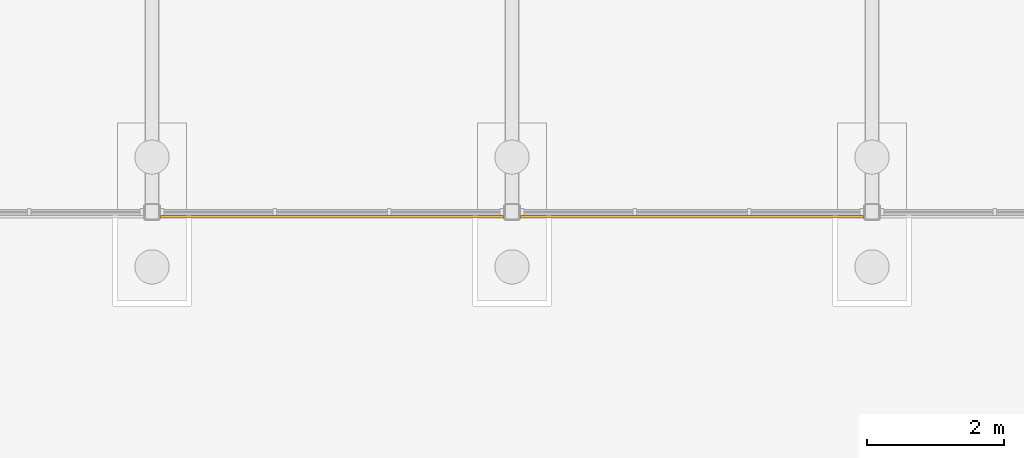
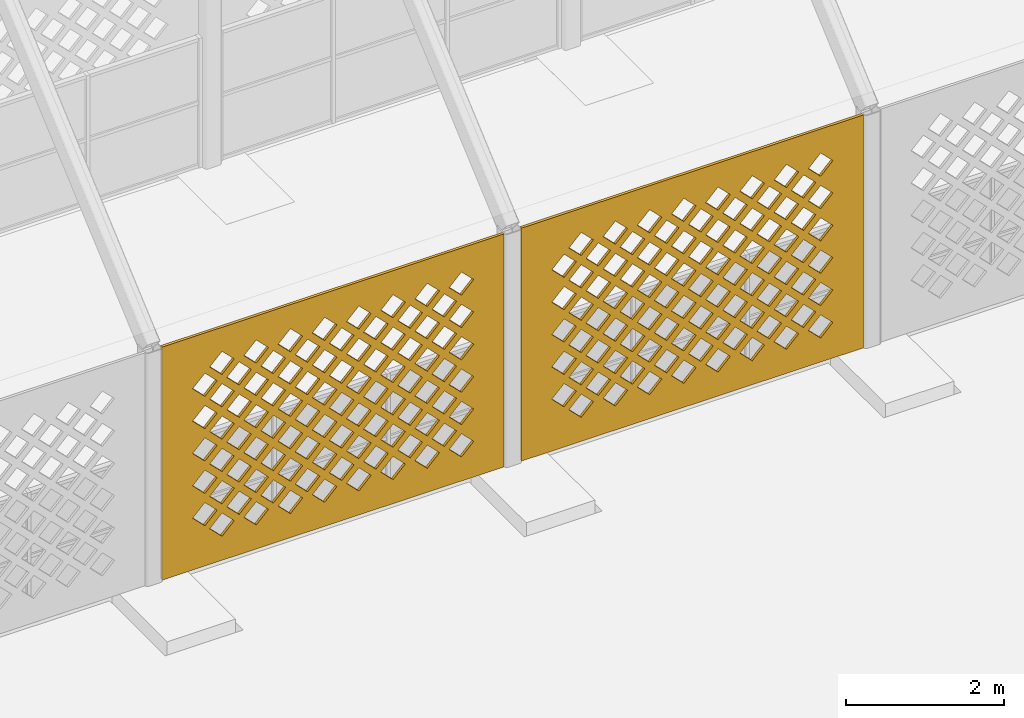
# One storey, part 61 of 79: 2 coverings.
"""IFC4 building model written with IfcOpenShell, lengths in metres."""

from ifc_helpers import new_model, si_unit, direction, frame, origin, place, context, subcontext, project, spatial, polyline, outline, extrude, material, layer, layer_set, type_object, element, save


model = new_model("IFC4")

# Units and contexts
model_context = context("Model", 3, precision=1e-05, world=origin(), true_north=direction((0.0, 1.0)))
body_context = subcontext(model_context, "Body", "Model", "MODEL_VIEW")
ifc_project = project(units=[si_unit("LENGTHUNIT", "METRE"), si_unit("AREAUNIT", "SQUARE_METRE"), si_unit("VOLUMEUNIT", "CUBIC_METRE"), si_unit("PLANEANGLEUNIT", "RADIAN"), si_unit("MASSUNIT", "GRAM", prefix="KILO")], contexts=[model_context])

# Site, building, storey
site_placement = place(None, origin())
site = spatial("IfcSite", under=ifc_project, at=site_placement, CompositionType="ELEMENT")
building_placement = place(site_placement, origin())
building = spatial("IfcBuilding", under=site, at=building_placement, Name="Noorbagh Ring Tower", CompositionType="ELEMENT")
storey_placement = place(building_placement, origin())
storey = spatial("IfcBuildingStorey", under=building, at=storey_placement, Name="L00", CompositionType="ELEMENT", Elevation=0.0)

# Coverings
ifc_material = material(Name="Red sandstone jali", Category="masonry")
ifc_layer = layer(ifc_material, 0.0400390625)
ifc_layer_set = layer_set([ifc_layer], Name="Red sandstone jali")
covering_type = type_object("IfcCoveringType", Name="AR-JALI", PredefinedType="USERDEFINED", material=ifc_layer_set)
covering_1_placement = place(storey_placement, frame((-78.625, 1.110107421875, 0.0), z_axis=(0.0, -1.0, 0.0), x_axis=(1.0, 0.0, 0.0)))
element("IfcCovering", 1, at=covering_1_placement, inside=storey, type_object=covering_type, Name="Jali screen", ObjectType="SCREEN", PredefinedType="USERDEFINED", context=body_context, shape_type="SweptSolid", body=[
    extrude(outline(polyline([(0.0, 0.0), (5.0, 0.0), (5.0, 3.60009765625), (0.0, 3.60009765625), (0.0, 0.0)]), holes=[polyline([(0.695068359375, 0.550048828125), (0.875, 0.3701171875), (1.054931640625, 0.550048828125), (0.875, 0.72998046875), (0.695068359375, 0.550048828125)]), polyline([(1.195068359375, 0.550048828125), (1.375, 0.3701171875), (1.554931640625, 0.550048828125), (1.375, 0.72998046875), (1.195068359375, 0.550048828125)]), polyline([(1.695068359375, 0.550048828125), (1.875, 0.3701171875), (2.054931640625, 0.550048828125), (1.875, 0.72998046875), (1.695068359375, 0.550048828125)]), polyline([(2.195068359375, 0.550048828125), (2.375, 0.3701171875), (2.554931640625, 0.550048828125), (2.375, 0.72998046875), (2.195068359375, 0.550048828125)]), polyline([(2.695068359375, 0.550048828125), (2.875, 0.3701171875), (3.054931640625, 0.550048828125), (2.875, 0.72998046875), (2.695068359375, 0.550048828125)]), polyline([(3.195068359375, 0.550048828125), (3.375, 0.3701171875), (3.554931640625, 0.550048828125), (3.375, 0.72998046875), (3.195068359375, 0.550048828125)]), polyline([(3.695068359375, 0.550048828125), (3.875, 0.3701171875), (4.054931640625, 0.550048828125), (3.875, 0.72998046875), (3.695068359375, 0.550048828125)]), polyline([(4.195068359375, 0.550048828125), (4.375, 0.3701171875), (4.554931640625, 0.550048828125), (4.375, 0.72998046875), (4.195068359375, 0.550048828125)]), polyline([(0.445068359375, 0.800048828125), (0.625, 0.6201171875), (0.804931640625, 0.800048828125), (0.625, 0.97998046875), (0.445068359375, 0.800048828125)]), polyline([(0.945068359375, 0.800048828125), (1.125, 0.6201171875), (1.304931640625, 0.800048828125), (1.125, 0.97998046875), (0.945068359375, 0.800048828125)]), polyline([(1.445068359375, 0.800048828125), (1.625, 0.6201171875), (1.804931640625, 0.800048828125), (1.625, 0.97998046875), (1.445068359375, 0.800048828125)]), polyline([(1.945068359375, 0.800048828125), (2.125, 0.6201171875), (2.304931640625, 0.800048828125), (2.125, 0.97998046875), (1.945068359375, 0.800048828125)]), polyline([(2.445068359375, 0.800048828125), (2.625, 0.6201171875), (2.804931640625, 0.800048828125), (2.625, 0.97998046875), (2.445068359375, 0.800048828125)]), polyline([(2.945068359375, 0.800048828125), (3.125, 0.6201171875), (3.304931640625, 0.800048828125), (3.125, 0.97998046875), (2.945068359375, 0.800048828125)]), polyline([(3.445068359375, 0.800048828125), (3.625, 0.6201171875), (3.804931640625, 0.800048828125), (3.625, 0.97998046875), (3.445068359375, 0.800048828125)]), polyline([(3.945068359375, 0.800048828125), (4.125, 0.6201171875), (4.304931640625, 0.800048828125), (4.125, 0.97998046875), (3.945068359375, 0.800048828125)]), polyline([(0.695068359375, 1.050048828125), (0.875, 0.8701171875), (1.054931640625, 1.050048828125), (0.875, 1.22998046875), (0.695068359375, 1.050048828125)]), polyline([(1.195068359375, 1.050048828125), (1.375, 0.8701171875), (1.554931640625, 1.050048828125), (1.375, 1.22998046875), (1.195068359375, 1.050048828125)]), polyline([(1.695068359375, 1.050048828125), (1.875, 0.8701171875), (2.054931640625, 1.050048828125), (1.875, 1.22998046875), (1.695068359375, 1.050048828125)]), polyline([(2.195068359375, 1.050048828125), (2.375, 0.8701171875), (2.554931640625, 1.050048828125), (2.375, 1.22998046875), (2.195068359375, 1.050048828125)]), polyline([(2.695068359375, 1.050048828125), (2.875, 0.8701171875), (3.054931640625, 1.050048828125), (2.875, 1.22998046875), (2.695068359375, 1.050048828125)]), polyline([(3.195068359375, 1.050048828125), (3.375, 0.8701171875), (3.554931640625, 1.050048828125), (3.375, 1.22998046875), (3.195068359375, 1.050048828125)]), polyline([(3.695068359375, 1.050048828125), (3.875, 0.8701171875), (4.054931640625, 1.050048828125), (3.875, 1.22998046875), (3.695068359375, 1.050048828125)]), polyline([(4.195068359375, 1.050048828125), (4.375, 0.8701171875), (4.554931640625, 1.050048828125), (4.375, 1.22998046875), (4.195068359375, 1.050048828125)]), polyline([(0.445068359375, 1.300048828125), (0.625, 1.1201171875), (0.804931640625, 1.300048828125), (0.625, 1.47998046875), (0.445068359375, 1.300048828125)]), polyline([(0.945068359375, 1.300048828125), (1.125, 1.1201171875), (1.304931640625, 1.300048828125), (1.125, 1.47998046875), (0.945068359375, 1.300048828125)]), polyline([(1.445068359375, 1.300048828125), (1.625, 1.1201171875), (1.804931640625, 1.300048828125), (1.625, 1.47998046875), (1.445068359375, 1.300048828125)]), polyline([(1.945068359375, 1.300048828125), (2.125, 1.1201171875), (2.304931640625, 1.300048828125), (2.125, 1.47998046875), (1.945068359375, 1.300048828125)]), polyline([(2.445068359375, 1.300048828125), (2.625, 1.1201171875), (2.804931640625, 1.300048828125), (2.625, 1.47998046875), (2.445068359375, 1.300048828125)]), polyline([(2.945068359375, 1.300048828125), (3.125, 1.1201171875), (3.304931640625, 1.300048828125), (3.125, 1.47998046875), (2.945068359375, 1.300048828125)]), polyline([(3.445068359375, 1.300048828125), (3.625, 1.1201171875), (3.804931640625, 1.300048828125), (3.625, 1.47998046875), (3.445068359375, 1.300048828125)]), polyline([(3.945068359375, 1.300048828125), (4.125, 1.1201171875), (4.304931640625, 1.300048828125), (4.125, 1.47998046875), (3.945068359375, 1.300048828125)]), polyline([(0.695068359375, 1.550048828125), (0.875, 1.3701171875), (1.054931640625, 1.550048828125), (0.875, 1.72998046875), (0.695068359375, 1.550048828125)]), polyline([(1.195068359375, 1.550048828125), (1.375, 1.3701171875), (1.554931640625, 1.550048828125), (1.375, 1.72998046875), (1.195068359375, 1.550048828125)]), polyline([(1.695068359375, 1.550048828125), (1.875, 1.3701171875), (2.054931640625, 1.550048828125), (1.875, 1.72998046875), (1.695068359375, 1.550048828125)]), polyline([(2.195068359375, 1.550048828125), (2.375, 1.3701171875), (2.554931640625, 1.550048828125), (2.375, 1.72998046875), (2.195068359375, 1.550048828125)]), polyline([(2.695068359375, 1.550048828125), (2.875, 1.3701171875), (3.054931640625, 1.550048828125), (2.875, 1.72998046875), (2.695068359375, 1.550048828125)]), polyline([(3.195068359375, 1.550048828125), (3.375, 1.3701171875), (3.554931640625, 1.550048828125), (3.375, 1.72998046875), (3.195068359375, 1.550048828125)]), polyline([(3.695068359375, 1.550048828125), (3.875, 1.3701171875), (4.054931640625, 1.550048828125), (3.875, 1.72998046875), (3.695068359375, 1.550048828125)]), polyline([(4.195068359375, 1.550048828125), (4.375, 1.3701171875), (4.554931640625, 1.550048828125), (4.375, 1.72998046875), (4.195068359375, 1.550048828125)]), polyline([(0.445068359375, 1.800048828125), (0.625, 1.6201171875), (0.804931640625, 1.800048828125), (0.625, 1.97998046875), (0.445068359375, 1.800048828125)]), polyline([(0.945068359375, 1.800048828125), (1.125, 1.6201171875), (1.304931640625, 1.800048828125), (1.125, 1.97998046875), (0.945068359375, 1.800048828125)]), polyline([(1.445068359375, 1.800048828125), (1.625, 1.6201171875), (1.804931640625, 1.800048828125), (1.625, 1.97998046875), (1.445068359375, 1.800048828125)]), polyline([(1.945068359375, 1.800048828125), (2.125, 1.6201171875), (2.304931640625, 1.800048828125), (2.125, 1.97998046875), (1.945068359375, 1.800048828125)]), polyline([(2.445068359375, 1.800048828125), (2.625, 1.6201171875), (2.804931640625, 1.800048828125), (2.625, 1.97998046875), (2.445068359375, 1.800048828125)]), polyline([(2.945068359375, 1.800048828125), (3.125, 1.6201171875), (3.304931640625, 1.800048828125), (3.125, 1.97998046875), (2.945068359375, 1.800048828125)]), polyline([(3.445068359375, 1.800048828125), (3.625, 1.6201171875), (3.804931640625, 1.800048828125), (3.625, 1.97998046875), (3.445068359375, 1.800048828125)]), polyline([(3.945068359375, 1.800048828125), (4.125, 1.6201171875), (4.304931640625, 1.800048828125), (4.125, 1.97998046875), (3.945068359375, 1.800048828125)]), polyline([(0.695068359375, 2.050048828125), (0.875, 1.8701171875), (1.054931640625, 2.050048828125), (0.875, 2.22998046875), (0.695068359375, 2.050048828125)]), polyline([(1.195068359375, 2.050048828125), (1.375, 1.8701171875), (1.554931640625, 2.050048828125), (1.375, 2.22998046875), (1.195068359375, 2.050048828125)]), polyline([(1.695068359375, 2.050048828125), (1.875, 1.8701171875), (2.054931640625, 2.050048828125), (1.875, 2.22998046875), (1.695068359375, 2.050048828125)]), polyline([(2.195068359375, 2.050048828125), (2.375, 1.8701171875), (2.554931640625, 2.050048828125), (2.375, 2.22998046875), (2.195068359375, 2.050048828125)]), polyline([(2.695068359375, 2.050048828125), (2.875, 1.8701171875), (3.054931640625, 2.050048828125), (2.875, 2.22998046875), (2.695068359375, 2.050048828125)]), polyline([(3.195068359375, 2.050048828125), (3.375, 1.8701171875), (3.554931640625, 2.050048828125), (3.375, 2.22998046875), (3.195068359375, 2.050048828125)]), polyline([(3.695068359375, 2.050048828125), (3.875, 1.8701171875), (4.054931640625, 2.050048828125), (3.875, 2.22998046875), (3.695068359375, 2.050048828125)]), polyline([(4.195068359375, 2.050048828125), (4.375, 1.8701171875), (4.554931640625, 2.050048828125), (4.375, 2.22998046875), (4.195068359375, 2.050048828125)]), polyline([(0.445068359375, 2.300048828125), (0.625, 2.1201171875), (0.804931640625, 2.300048828125), (0.625, 2.47998046875), (0.445068359375, 2.300048828125)]), polyline([(0.945068359375, 2.300048828125), (1.125, 2.1201171875), (1.304931640625, 2.300048828125), (1.125, 2.47998046875), (0.945068359375, 2.300048828125)]), polyline([(1.445068359375, 2.300048828125), (1.625, 2.1201171875), (1.804931640625, 2.300048828125), (1.625, 2.47998046875), (1.445068359375, 2.300048828125)]), polyline([(1.945068359375, 2.300048828125), (2.125, 2.1201171875), (2.304931640625, 2.300048828125), (2.125, 2.47998046875), (1.945068359375, 2.300048828125)]), polyline([(2.445068359375, 2.300048828125), (2.625, 2.1201171875), (2.804931640625, 2.300048828125), (2.625, 2.47998046875), (2.445068359375, 2.300048828125)]), polyline([(2.945068359375, 2.300048828125), (3.125, 2.1201171875), (3.304931640625, 2.300048828125), (3.125, 2.47998046875), (2.945068359375, 2.300048828125)]), polyline([(3.445068359375, 2.300048828125), (3.625, 2.1201171875), (3.804931640625, 2.300048828125), (3.625, 2.47998046875), (3.445068359375, 2.300048828125)]), polyline([(3.945068359375, 2.300048828125), (4.125, 2.1201171875), (4.304931640625, 2.300048828125), (4.125, 2.47998046875), (3.945068359375, 2.300048828125)]), polyline([(0.695068359375, 2.550048828125), (0.875, 2.3701171875), (1.054931640625, 2.550048828125), (0.875, 2.72998046875), (0.695068359375, 2.550048828125)]), polyline([(1.195068359375, 2.550048828125), (1.375, 2.3701171875), (1.554931640625, 2.550048828125), (1.375, 2.72998046875), (1.195068359375, 2.550048828125)]), polyline([(1.695068359375, 2.550048828125), (1.875, 2.3701171875), (2.054931640625, 2.550048828125), (1.875, 2.72998046875), (1.695068359375, 2.550048828125)]), polyline([(2.195068359375, 2.550048828125), (2.375, 2.3701171875), (2.554931640625, 2.550048828125), (2.375, 2.72998046875), (2.195068359375, 2.550048828125)]), polyline([(2.695068359375, 2.550048828125), (2.875, 2.3701171875), (3.054931640625, 2.550048828125), (2.875, 2.72998046875), (2.695068359375, 2.550048828125)]), polyline([(3.195068359375, 2.550048828125), (3.375, 2.3701171875), (3.554931640625, 2.550048828125), (3.375, 2.72998046875), (3.195068359375, 2.550048828125)]), polyline([(3.695068359375, 2.550048828125), (3.875, 2.3701171875), (4.054931640625, 2.550048828125), (3.875, 2.72998046875), (3.695068359375, 2.550048828125)]), polyline([(4.195068359375, 2.550048828125), (4.375, 2.3701171875), (4.554931640625, 2.550048828125), (4.375, 2.72998046875), (4.195068359375, 2.550048828125)]), polyline([(0.445068359375, 2.800048828125), (0.625, 2.6201171875), (0.804931640625, 2.800048828125), (0.625, 2.97998046875), (0.445068359375, 2.800048828125)]), polyline([(0.945068359375, 2.800048828125), (1.125, 2.6201171875), (1.304931640625, 2.800048828125), (1.125, 2.97998046875), (0.945068359375, 2.800048828125)]), polyline([(1.445068359375, 2.800048828125), (1.625, 2.6201171875), (1.804931640625, 2.800048828125), (1.625, 2.97998046875), (1.445068359375, 2.800048828125)]), polyline([(1.945068359375, 2.800048828125), (2.125, 2.6201171875), (2.304931640625, 2.800048828125), (2.125, 2.97998046875), (1.945068359375, 2.800048828125)]), polyline([(2.445068359375, 2.800048828125), (2.625, 2.6201171875), (2.804931640625, 2.800048828125), (2.625, 2.97998046875), (2.445068359375, 2.800048828125)]), polyline([(2.945068359375, 2.800048828125), (3.125, 2.6201171875), (3.304931640625, 2.800048828125), (3.125, 2.97998046875), (2.945068359375, 2.800048828125)]), polyline([(3.445068359375, 2.800048828125), (3.625, 2.6201171875), (3.804931640625, 2.800048828125), (3.625, 2.97998046875), (3.445068359375, 2.800048828125)]), polyline([(3.945068359375, 2.800048828125), (4.125, 2.6201171875), (4.304931640625, 2.800048828125), (4.125, 2.97998046875), (3.945068359375, 2.800048828125)]), polyline([(0.695068359375, 3.050048828125), (0.875, 2.8701171875), (1.054931640625, 3.050048828125), (0.875, 3.22998046875), (0.695068359375, 3.050048828125)]), polyline([(1.195068359375, 3.050048828125), (1.375, 2.8701171875), (1.554931640625, 3.050048828125), (1.375, 3.22998046875), (1.195068359375, 3.050048828125)]), polyline([(1.695068359375, 3.050048828125), (1.875, 2.8701171875), (2.054931640625, 3.050048828125), (1.875, 3.22998046875), (1.695068359375, 3.050048828125)]), polyline([(2.195068359375, 3.050048828125), (2.375, 2.8701171875), (2.554931640625, 3.050048828125), (2.375, 3.22998046875), (2.195068359375, 3.050048828125)]), polyline([(2.695068359375, 3.050048828125), (2.875, 2.8701171875), (3.054931640625, 3.050048828125), (2.875, 3.22998046875), (2.695068359375, 3.050048828125)]), polyline([(3.195068359375, 3.050048828125), (3.375, 2.8701171875), (3.554931640625, 3.050048828125), (3.375, 3.22998046875), (3.195068359375, 3.050048828125)]), polyline([(3.695068359375, 3.050048828125), (3.875, 2.8701171875), (4.054931640625, 3.050048828125), (3.875, 3.22998046875), (3.695068359375, 3.050048828125)]), polyline([(4.195068359375, 3.050048828125), (4.375, 2.8701171875), (4.554931640625, 3.050048828125), (4.375, 3.22998046875), (4.195068359375, 3.050048828125)])]), origin(), (0.0, 0.0, -1.0), 0.0400390625),
])
covering_2_placement = place(storey_placement, frame((-73.375, 1.110107421875, 0.0), z_axis=(0.0, -1.0, 0.0), x_axis=(1.0, 0.0, 0.0)))
element("IfcCovering", 2, at=covering_2_placement, inside=storey, type_object=covering_type, Name="Jali screen", ObjectType="SCREEN", PredefinedType="USERDEFINED", context=body_context, shape_type="SweptSolid", body=[
    extrude(outline(polyline([(0.0, 0.0), (5.0, 0.0), (5.0, 3.60009765625), (0.0, 3.60009765625), (0.0, 0.0)]), holes=[polyline([(0.695068359375, 0.550048828125), (0.875, 0.3701171875), (1.054931640625, 0.550048828125), (0.875, 0.72998046875), (0.695068359375, 0.550048828125)]), polyline([(1.195068359375, 0.550048828125), (1.375, 0.3701171875), (1.554931640625, 0.550048828125), (1.375, 0.72998046875), (1.195068359375, 0.550048828125)]), polyline([(1.695068359375, 0.550048828125), (1.875, 0.3701171875), (2.054931640625, 0.550048828125), (1.875, 0.72998046875), (1.695068359375, 0.550048828125)]), polyline([(2.195068359375, 0.550048828125), (2.375, 0.3701171875), (2.554931640625, 0.550048828125), (2.375, 0.72998046875), (2.195068359375, 0.550048828125)]), polyline([(2.695068359375, 0.550048828125), (2.875, 0.3701171875), (3.054931640625, 0.550048828125), (2.875, 0.72998046875), (2.695068359375, 0.550048828125)]), polyline([(3.195068359375, 0.550048828125), (3.375, 0.3701171875), (3.554931640625, 0.550048828125), (3.375, 0.72998046875), (3.195068359375, 0.550048828125)]), polyline([(3.695068359375, 0.550048828125), (3.875, 0.3701171875), (4.054931640625, 0.550048828125), (3.875, 0.72998046875), (3.695068359375, 0.550048828125)]), polyline([(4.195068359375, 0.550048828125), (4.375, 0.3701171875), (4.554931640625, 0.550048828125), (4.375, 0.72998046875), (4.195068359375, 0.550048828125)]), polyline([(0.445068359375, 0.800048828125), (0.625, 0.6201171875), (0.804931640625, 0.800048828125), (0.625, 0.97998046875), (0.445068359375, 0.800048828125)]), polyline([(0.945068359375, 0.800048828125), (1.125, 0.6201171875), (1.304931640625, 0.800048828125), (1.125, 0.97998046875), (0.945068359375, 0.800048828125)]), polyline([(1.445068359375, 0.800048828125), (1.625, 0.6201171875), (1.804931640625, 0.800048828125), (1.625, 0.97998046875), (1.445068359375, 0.800048828125)]), polyline([(1.945068359375, 0.800048828125), (2.125, 0.6201171875), (2.304931640625, 0.800048828125), (2.125, 0.97998046875), (1.945068359375, 0.800048828125)]), polyline([(2.445068359375, 0.800048828125), (2.625, 0.6201171875), (2.804931640625, 0.800048828125), (2.625, 0.97998046875), (2.445068359375, 0.800048828125)]), polyline([(2.945068359375, 0.800048828125), (3.125, 0.6201171875), (3.304931640625, 0.800048828125), (3.125, 0.97998046875), (2.945068359375, 0.800048828125)]), polyline([(3.445068359375, 0.800048828125), (3.625, 0.6201171875), (3.804931640625, 0.800048828125), (3.625, 0.97998046875), (3.445068359375, 0.800048828125)]), polyline([(3.945068359375, 0.800048828125), (4.125, 0.6201171875), (4.304931640625, 0.800048828125), (4.125, 0.97998046875), (3.945068359375, 0.800048828125)]), polyline([(0.695068359375, 1.050048828125), (0.875, 0.8701171875), (1.054931640625, 1.050048828125), (0.875, 1.22998046875), (0.695068359375, 1.050048828125)]), polyline([(1.195068359375, 1.050048828125), (1.375, 0.8701171875), (1.554931640625, 1.050048828125), (1.375, 1.22998046875), (1.195068359375, 1.050048828125)]), polyline([(1.695068359375, 1.050048828125), (1.875, 0.8701171875), (2.054931640625, 1.050048828125), (1.875, 1.22998046875), (1.695068359375, 1.050048828125)]), polyline([(2.195068359375, 1.050048828125), (2.375, 0.8701171875), (2.554931640625, 1.050048828125), (2.375, 1.22998046875), (2.195068359375, 1.050048828125)]), polyline([(2.695068359375, 1.050048828125), (2.875, 0.8701171875), (3.054931640625, 1.050048828125), (2.875, 1.22998046875), (2.695068359375, 1.050048828125)]), polyline([(3.195068359375, 1.050048828125), (3.375, 0.8701171875), (3.554931640625, 1.050048828125), (3.375, 1.22998046875), (3.195068359375, 1.050048828125)]), polyline([(3.695068359375, 1.050048828125), (3.875, 0.8701171875), (4.054931640625, 1.050048828125), (3.875, 1.22998046875), (3.695068359375, 1.050048828125)]), polyline([(4.195068359375, 1.050048828125), (4.375, 0.8701171875), (4.554931640625, 1.050048828125), (4.375, 1.22998046875), (4.195068359375, 1.050048828125)]), polyline([(0.445068359375, 1.300048828125), (0.625, 1.1201171875), (0.804931640625, 1.300048828125), (0.625, 1.47998046875), (0.445068359375, 1.300048828125)]), polyline([(0.945068359375, 1.300048828125), (1.125, 1.1201171875), (1.304931640625, 1.300048828125), (1.125, 1.47998046875), (0.945068359375, 1.300048828125)]), polyline([(1.445068359375, 1.300048828125), (1.625, 1.1201171875), (1.804931640625, 1.300048828125), (1.625, 1.47998046875), (1.445068359375, 1.300048828125)]), polyline([(1.945068359375, 1.300048828125), (2.125, 1.1201171875), (2.304931640625, 1.300048828125), (2.125, 1.47998046875), (1.945068359375, 1.300048828125)]), polyline([(2.445068359375, 1.300048828125), (2.625, 1.1201171875), (2.804931640625, 1.300048828125), (2.625, 1.47998046875), (2.445068359375, 1.300048828125)]), polyline([(2.945068359375, 1.300048828125), (3.125, 1.1201171875), (3.304931640625, 1.300048828125), (3.125, 1.47998046875), (2.945068359375, 1.300048828125)]), polyline([(3.445068359375, 1.300048828125), (3.625, 1.1201171875), (3.804931640625, 1.300048828125), (3.625, 1.47998046875), (3.445068359375, 1.300048828125)]), polyline([(3.945068359375, 1.300048828125), (4.125, 1.1201171875), (4.304931640625, 1.300048828125), (4.125, 1.47998046875), (3.945068359375, 1.300048828125)]), polyline([(0.695068359375, 1.550048828125), (0.875, 1.3701171875), (1.054931640625, 1.550048828125), (0.875, 1.72998046875), (0.695068359375, 1.550048828125)]), polyline([(1.195068359375, 1.550048828125), (1.375, 1.3701171875), (1.554931640625, 1.550048828125), (1.375, 1.72998046875), (1.195068359375, 1.550048828125)]), polyline([(1.695068359375, 1.550048828125), (1.875, 1.3701171875), (2.054931640625, 1.550048828125), (1.875, 1.72998046875), (1.695068359375, 1.550048828125)]), polyline([(2.195068359375, 1.550048828125), (2.375, 1.3701171875), (2.554931640625, 1.550048828125), (2.375, 1.72998046875), (2.195068359375, 1.550048828125)]), polyline([(2.695068359375, 1.550048828125), (2.875, 1.3701171875), (3.054931640625, 1.550048828125), (2.875, 1.72998046875), (2.695068359375, 1.550048828125)]), polyline([(3.195068359375, 1.550048828125), (3.375, 1.3701171875), (3.554931640625, 1.550048828125), (3.375, 1.72998046875), (3.195068359375, 1.550048828125)]), polyline([(3.695068359375, 1.550048828125), (3.875, 1.3701171875), (4.054931640625, 1.550048828125), (3.875, 1.72998046875), (3.695068359375, 1.550048828125)]), polyline([(4.195068359375, 1.550048828125), (4.375, 1.3701171875), (4.554931640625, 1.550048828125), (4.375, 1.72998046875), (4.195068359375, 1.550048828125)]), polyline([(0.445068359375, 1.800048828125), (0.625, 1.6201171875), (0.804931640625, 1.800048828125), (0.625, 1.97998046875), (0.445068359375, 1.800048828125)]), polyline([(0.945068359375, 1.800048828125), (1.125, 1.6201171875), (1.304931640625, 1.800048828125), (1.125, 1.97998046875), (0.945068359375, 1.800048828125)]), polyline([(1.445068359375, 1.800048828125), (1.625, 1.6201171875), (1.804931640625, 1.800048828125), (1.625, 1.97998046875), (1.445068359375, 1.800048828125)]), polyline([(1.945068359375, 1.800048828125), (2.125, 1.6201171875), (2.304931640625, 1.800048828125), (2.125, 1.97998046875), (1.945068359375, 1.800048828125)]), polyline([(2.445068359375, 1.800048828125), (2.625, 1.6201171875), (2.804931640625, 1.800048828125), (2.625, 1.97998046875), (2.445068359375, 1.800048828125)]), polyline([(2.945068359375, 1.800048828125), (3.125, 1.6201171875), (3.304931640625, 1.800048828125), (3.125, 1.97998046875), (2.945068359375, 1.800048828125)]), polyline([(3.445068359375, 1.800048828125), (3.625, 1.6201171875), (3.804931640625, 1.800048828125), (3.625, 1.97998046875), (3.445068359375, 1.800048828125)]), polyline([(3.945068359375, 1.800048828125), (4.125, 1.6201171875), (4.304931640625, 1.800048828125), (4.125, 1.97998046875), (3.945068359375, 1.800048828125)]), polyline([(0.695068359375, 2.050048828125), (0.875, 1.8701171875), (1.054931640625, 2.050048828125), (0.875, 2.22998046875), (0.695068359375, 2.050048828125)]), polyline([(1.195068359375, 2.050048828125), (1.375, 1.8701171875), (1.554931640625, 2.050048828125), (1.375, 2.22998046875), (1.195068359375, 2.050048828125)]), polyline([(1.695068359375, 2.050048828125), (1.875, 1.8701171875), (2.054931640625, 2.050048828125), (1.875, 2.22998046875), (1.695068359375, 2.050048828125)]), polyline([(2.195068359375, 2.050048828125), (2.375, 1.8701171875), (2.554931640625, 2.050048828125), (2.375, 2.22998046875), (2.195068359375, 2.050048828125)]), polyline([(2.695068359375, 2.050048828125), (2.875, 1.8701171875), (3.054931640625, 2.050048828125), (2.875, 2.22998046875), (2.695068359375, 2.050048828125)]), polyline([(3.195068359375, 2.050048828125), (3.375, 1.8701171875), (3.554931640625, 2.050048828125), (3.375, 2.22998046875), (3.195068359375, 2.050048828125)]), polyline([(3.695068359375, 2.050048828125), (3.875, 1.8701171875), (4.054931640625, 2.050048828125), (3.875, 2.22998046875), (3.695068359375, 2.050048828125)]), polyline([(4.195068359375, 2.050048828125), (4.375, 1.8701171875), (4.554931640625, 2.050048828125), (4.375, 2.22998046875), (4.195068359375, 2.050048828125)]), polyline([(0.445068359375, 2.300048828125), (0.625, 2.1201171875), (0.804931640625, 2.300048828125), (0.625, 2.47998046875), (0.445068359375, 2.300048828125)]), polyline([(0.945068359375, 2.300048828125), (1.125, 2.1201171875), (1.304931640625, 2.300048828125), (1.125, 2.47998046875), (0.945068359375, 2.300048828125)]), polyline([(1.445068359375, 2.300048828125), (1.625, 2.1201171875), (1.804931640625, 2.300048828125), (1.625, 2.47998046875), (1.445068359375, 2.300048828125)]), polyline([(1.945068359375, 2.300048828125), (2.125, 2.1201171875), (2.304931640625, 2.300048828125), (2.125, 2.47998046875), (1.945068359375, 2.300048828125)]), polyline([(2.445068359375, 2.300048828125), (2.625, 2.1201171875), (2.804931640625, 2.300048828125), (2.625, 2.47998046875), (2.445068359375, 2.300048828125)]), polyline([(2.945068359375, 2.300048828125), (3.125, 2.1201171875), (3.304931640625, 2.300048828125), (3.125, 2.47998046875), (2.945068359375, 2.300048828125)]), polyline([(3.445068359375, 2.300048828125), (3.625, 2.1201171875), (3.804931640625, 2.300048828125), (3.625, 2.47998046875), (3.445068359375, 2.300048828125)]), polyline([(3.945068359375, 2.300048828125), (4.125, 2.1201171875), (4.304931640625, 2.300048828125), (4.125, 2.47998046875), (3.945068359375, 2.300048828125)]), polyline([(0.695068359375, 2.550048828125), (0.875, 2.3701171875), (1.054931640625, 2.550048828125), (0.875, 2.72998046875), (0.695068359375, 2.550048828125)]), polyline([(1.195068359375, 2.550048828125), (1.375, 2.3701171875), (1.554931640625, 2.550048828125), (1.375, 2.72998046875), (1.195068359375, 2.550048828125)]), polyline([(1.695068359375, 2.550048828125), (1.875, 2.3701171875), (2.054931640625, 2.550048828125), (1.875, 2.72998046875), (1.695068359375, 2.550048828125)]), polyline([(2.195068359375, 2.550048828125), (2.375, 2.3701171875), (2.554931640625, 2.550048828125), (2.375, 2.72998046875), (2.195068359375, 2.550048828125)]), polyline([(2.695068359375, 2.550048828125), (2.875, 2.3701171875), (3.054931640625, 2.550048828125), (2.875, 2.72998046875), (2.695068359375, 2.550048828125)]), polyline([(3.195068359375, 2.550048828125), (3.375, 2.3701171875), (3.554931640625, 2.550048828125), (3.375, 2.72998046875), (3.195068359375, 2.550048828125)]), polyline([(3.695068359375, 2.550048828125), (3.875, 2.3701171875), (4.054931640625, 2.550048828125), (3.875, 2.72998046875), (3.695068359375, 2.550048828125)]), polyline([(4.195068359375, 2.550048828125), (4.375, 2.3701171875), (4.554931640625, 2.550048828125), (4.375, 2.72998046875), (4.195068359375, 2.550048828125)]), polyline([(0.445068359375, 2.800048828125), (0.625, 2.6201171875), (0.804931640625, 2.800048828125), (0.625, 2.97998046875), (0.445068359375, 2.800048828125)]), polyline([(0.945068359375, 2.800048828125), (1.125, 2.6201171875), (1.304931640625, 2.800048828125), (1.125, 2.97998046875), (0.945068359375, 2.800048828125)]), polyline([(1.445068359375, 2.800048828125), (1.625, 2.6201171875), (1.804931640625, 2.800048828125), (1.625, 2.97998046875), (1.445068359375, 2.800048828125)]), polyline([(1.945068359375, 2.800048828125), (2.125, 2.6201171875), (2.304931640625, 2.800048828125), (2.125, 2.97998046875), (1.945068359375, 2.800048828125)]), polyline([(2.445068359375, 2.800048828125), (2.625, 2.6201171875), (2.804931640625, 2.800048828125), (2.625, 2.97998046875), (2.445068359375, 2.800048828125)]), polyline([(2.945068359375, 2.800048828125), (3.125, 2.6201171875), (3.304931640625, 2.800048828125), (3.125, 2.97998046875), (2.945068359375, 2.800048828125)]), polyline([(3.445068359375, 2.800048828125), (3.625, 2.6201171875), (3.804931640625, 2.800048828125), (3.625, 2.97998046875), (3.445068359375, 2.800048828125)]), polyline([(3.945068359375, 2.800048828125), (4.125, 2.6201171875), (4.304931640625, 2.800048828125), (4.125, 2.97998046875), (3.945068359375, 2.800048828125)]), polyline([(0.695068359375, 3.050048828125), (0.875, 2.8701171875), (1.054931640625, 3.050048828125), (0.875, 3.22998046875), (0.695068359375, 3.050048828125)]), polyline([(1.195068359375, 3.050048828125), (1.375, 2.8701171875), (1.554931640625, 3.050048828125), (1.375, 3.22998046875), (1.195068359375, 3.050048828125)]), polyline([(1.695068359375, 3.050048828125), (1.875, 2.8701171875), (2.054931640625, 3.050048828125), (1.875, 3.22998046875), (1.695068359375, 3.050048828125)]), polyline([(2.195068359375, 3.050048828125), (2.375, 2.8701171875), (2.554931640625, 3.050048828125), (2.375, 3.22998046875), (2.195068359375, 3.050048828125)]), polyline([(2.695068359375, 3.050048828125), (2.875, 2.8701171875), (3.054931640625, 3.050048828125), (2.875, 3.22998046875), (2.695068359375, 3.050048828125)]), polyline([(3.195068359375, 3.050048828125), (3.375, 2.8701171875), (3.554931640625, 3.050048828125), (3.375, 3.22998046875), (3.195068359375, 3.050048828125)]), polyline([(3.695068359375, 3.050048828125), (3.875, 2.8701171875), (4.054931640625, 3.050048828125), (3.875, 3.22998046875), (3.695068359375, 3.050048828125)]), polyline([(4.195068359375, 3.050048828125), (4.375, 2.8701171875), (4.554931640625, 3.050048828125), (4.375, 3.22998046875), (4.195068359375, 3.050048828125)])]), origin(), (0.0, 0.0, -1.0), 0.0400390625),
])

save(model, "model.ifc")
